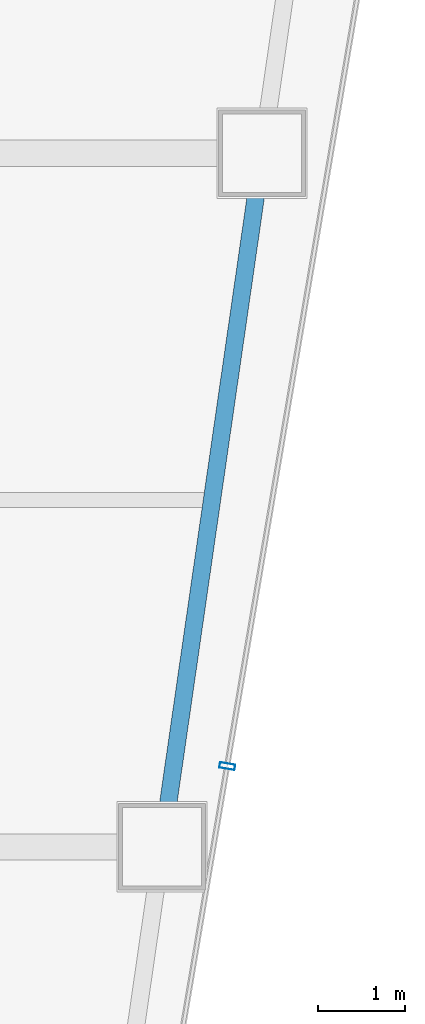
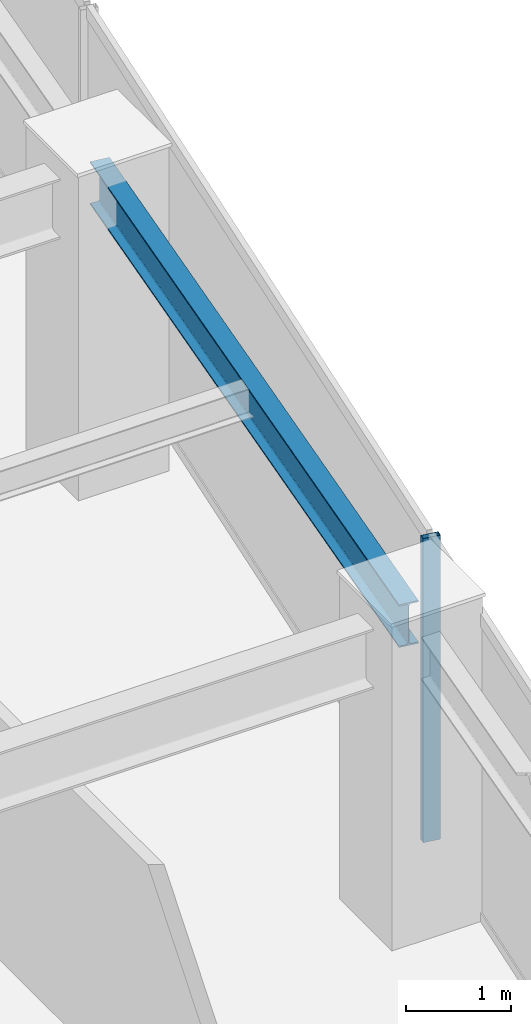
# One storey, part 19 of 35: 1 beam, 1 member, 1 element without a shape of its own.
"""IFC4 building model written with IfcOpenShell, lengths in metres."""

from ifc_helpers import new_model, si_unit, direction, frame, origin, origin_2d, place, context, subcontext, project, spatial, hollow_rectangle, i_section, extrude, material, material_profile, profile_set, type_object, element, aggregate, save


model = new_model("IFC4")

# Units and contexts
model_context = context("Model", 3, precision=1e-05, world=origin(), true_north=direction((0.0, 1.0)))
body_context = subcontext(model_context, "Body", "Model", "MODEL_VIEW")
ifc_project = project(units=[si_unit("LENGTHUNIT", "METRE"), si_unit("AREAUNIT", "SQUARE_METRE"), si_unit("VOLUMEUNIT", "CUBIC_METRE"), si_unit("PLANEANGLEUNIT", "RADIAN"), si_unit("MASSUNIT", "GRAM", prefix="KILO")], contexts=[model_context])

# Site, building, storey
site_placement = place(None, origin())
site = spatial("IfcSite", under=ifc_project, at=site_placement, CompositionType="ELEMENT")
building_placement = place(site_placement, origin())
building = spatial("IfcBuilding", under=site, at=building_placement, Name="Saevonmaru Cultural Tower", CompositionType="ELEMENT")
storey_placement = place(building_placement, frame((0.0, 0.0, 179.0)))
storey = spatial("IfcBuildingStorey", under=building, at=storey_placement, Name="L40", CompositionType="ELEMENT", Elevation=179.0)

# Beam
ifc_material_1 = material(Name="Steel SM355", Category="steel")
ifc_material_profile_1 = material_profile(ifc_material_1, i_section(OverallWidth=0.199951171875, OverallDepth=0.5, WebThickness=0.010009765625, FlangeThickness=0.01611328125, FilletRadius=0.02001953125, at=origin_2d()), Name="H-500x200x10x16")
ifc_profile_set_1 = profile_set([ifc_material_profile_1], Name="Steel SM355")
beam_type = type_object("IfcBeamType", Name="BM-SP-H500", PredefinedType="SPANDREL", material=ifc_profile_set_1)
beam_placement = place(storey_placement, frame((50.53662109375, 24.059326171875, 3.300048828125), z_axis=(0.142871999001, 0.989741174197, 0.0), x_axis=(-0.989741174197, 0.142871999001, 0.0)))
element("IfcBeam", 1, at=beam_placement, inside=storey, type_object=beam_type, Name="L40 East Splayed Spandrel 2", PredefinedType="SPANDREL", context=body_context, shape_type="SweptSolid", body=[
    extrude(i_section(OverallWidth=0.199951171875, OverallDepth=0.5, WebThickness=0.010009765625, FlangeThickness=0.01611328125, FilletRadius=0.02001953125, at=origin_2d()), origin(), (0.0, 0.0, 1.0), 7.963134765625),
])

# Curtain wall, member
ifc_material_2 = material(Name="Satin Bronze Anodised Aluminium", Category="aluminium")
curtain_wall_type = type_object("IfcCurtainWallType", Name="CW-TYP-B", PredefinedType="NOTDEFINED", material=ifc_material_2)
curtain_wall_placement = place(storey_placement, origin())
curtain_wall = element("IfcCurtainWall", 2, at=curtain_wall_placement, inside=storey, type_object=curtain_wall_type, Name="L40 Unitised Curtain Wall E8", PredefinedType="NOTDEFINED")
ifc_material_profile_2 = material_profile(ifc_material_2, hollow_rectangle(XDim=0.06494140625, YDim=0.179931640625, WallThickness=0.00390625, at=origin_2d()), Name="ALU-MULL-180x65x4")
ifc_profile_set_2 = profile_set([ifc_material_profile_2], Name="Satin Bronze Anodised Aluminium")
member_type = type_object("IfcMemberType", Name="ML-CW-180x65", PredefinedType="MULLION", material=ifc_profile_set_2)
member_placement = place(storey_placement, frame((51.28173828125, 24.9296875, 0.0), z_axis=(0.0, 0.0, 1.0), x_axis=(0.16692169721, 0.985970155228, 0.0)))
member = element("IfcMember", 3, at=member_placement, type_object=member_type, Name="CW-TW-L40-E8 mullion 2", PredefinedType="MULLION", context=body_context, shape_type="SweptSolid", body=[
    extrude(hollow_rectangle(XDim=0.06494140625, YDim=0.179931640625, WallThickness=0.00390625, at=origin_2d()), origin(), (0.0, 0.0, 1.0), 3.550048828125),
])
aggregate(curtain_wall, [member])

save(model, "model.ifc")
